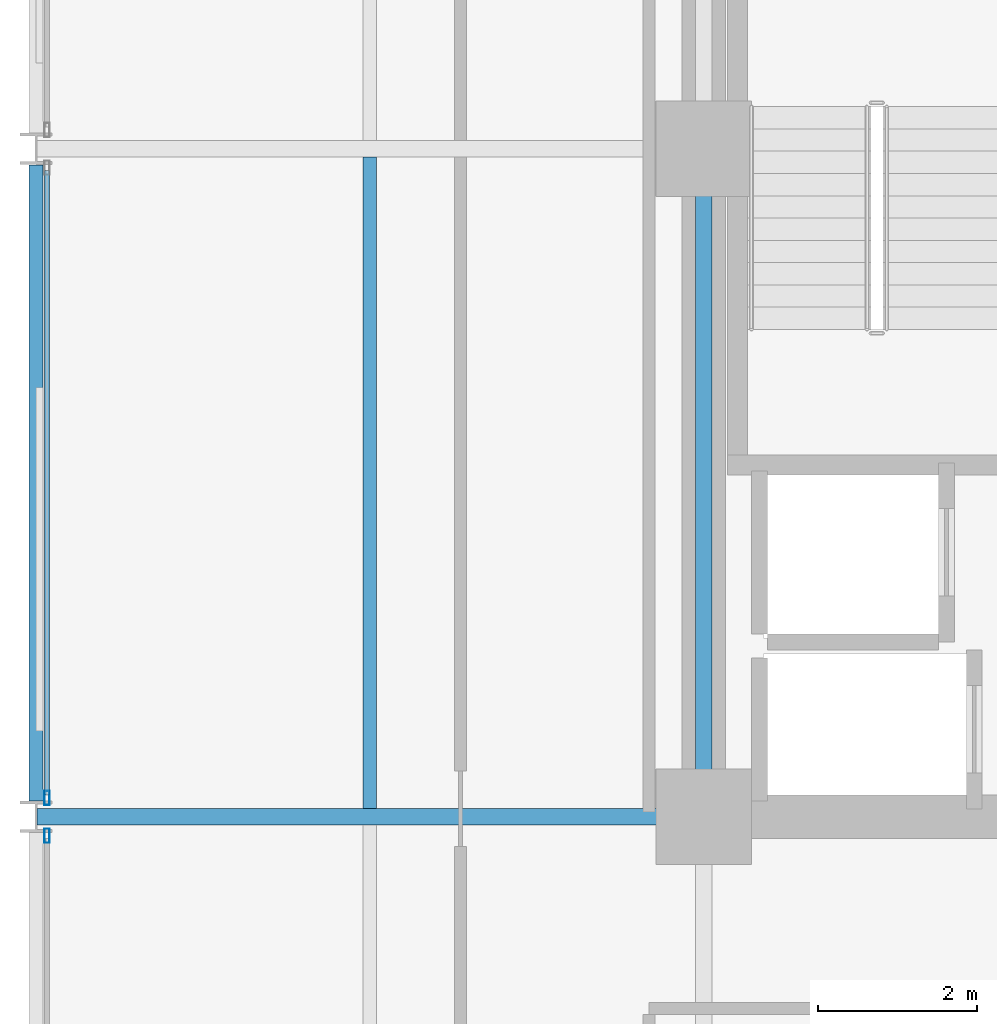
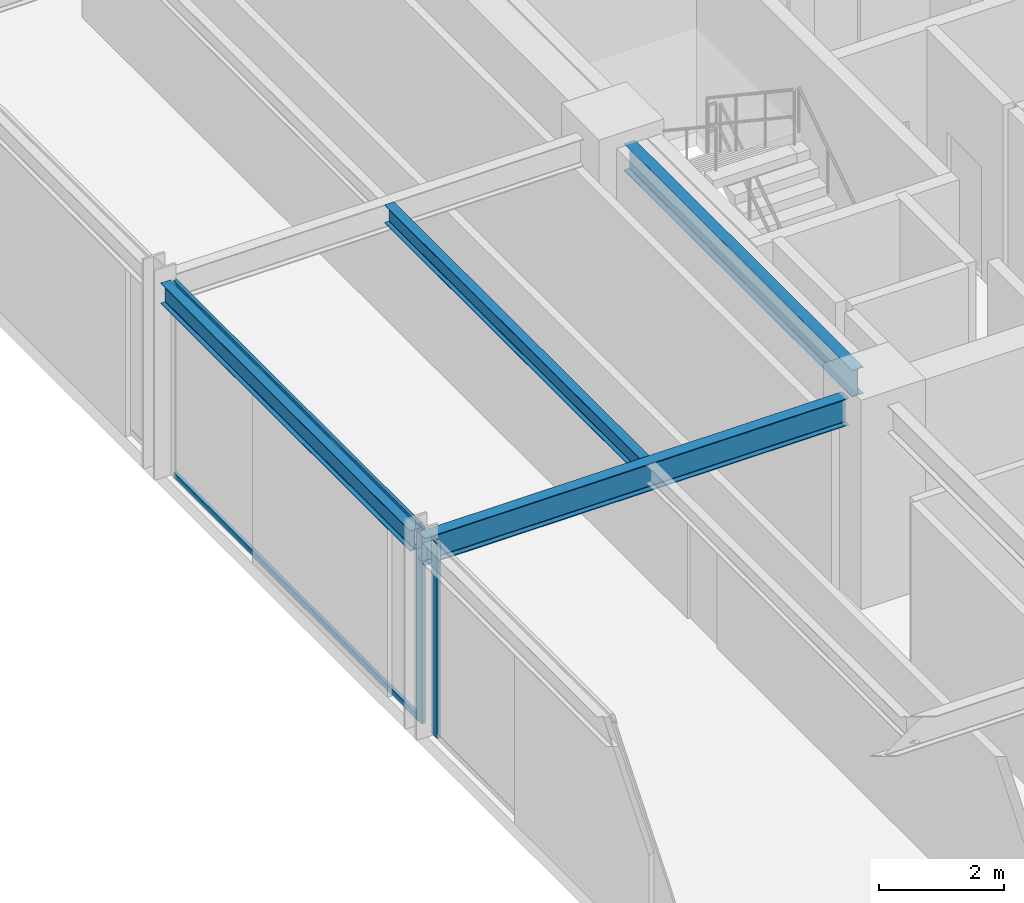
# One storey, part 13 of 38: 4 beams, 4 members, 2 elements without a shape of their own.
"""IFC4 building model written with IfcOpenShell, lengths in metres."""

from ifc_helpers import new_model, si_unit, direction, frame, origin, origin_2d, place, context, subcontext, project, spatial, hollow_rectangle, i_section, extrude, material, layer, layer_set, material_profile, profile_set, type_object, element, aggregate, save


model = new_model("IFC4")

# Units and contexts
model_context = context("Model", 3, precision=1e-05, world=origin(), true_north=direction((0.0, 1.0)))
body_context = subcontext(model_context, "Body", "Model", "MODEL_VIEW")
ifc_project = project(units=[si_unit("LENGTHUNIT", "METRE"), si_unit("AREAUNIT", "SQUARE_METRE"), si_unit("VOLUMEUNIT", "CUBIC_METRE"), si_unit("PLANEANGLEUNIT", "RADIAN"), si_unit("MASSUNIT", "GRAM", prefix="KILO")], contexts=[model_context])

# Site, building, storey
site_placement = place(None, origin())
site = spatial("IfcSite", under=ifc_project, at=site_placement, CompositionType="ELEMENT")
building_placement = place(site_placement, origin())
building = spatial("IfcBuilding", under=site, at=building_placement, Name="Nerrivon Quay Data Exchange", CompositionType="ELEMENT")
storey_placement = place(building_placement, frame((0.0, 0.0, 84.39990234375)))
storey = spatial("IfcBuildingStorey", under=building, at=storey_placement, Name="L19", CompositionType="ELEMENT", Elevation=84.39990234375)

# Beams
ifc_material_1 = material(Name="Steel Grade 350", Category="steel")
ifc_material_profile_1 = material_profile(ifc_material_1, i_section(OverallWidth=0.208984375, OverallDepth=0.532958984375, WebThickness=0.01025390625, FlangeThickness=0.015625, FilletRadius=0.013916015625, at=origin_2d()), Name="530UB92.4")
ifc_profile_set_1 = profile_set([ifc_material_profile_1], Name="Steel Grade 350")
beam_type_1 = type_object("IfcBeamType", Name="BM-G3-530UB92", PredefinedType="BEAM", material=ifc_profile_set_1)
beam_1_placement = place(storey_placement, frame((0.012451171875, 25.199951171875, 3.55859375), z_axis=(1.0, 0.0, 0.0), x_axis=(0.0, 1.0, 0.0)))
element("IfcBeam", 1, at=beam_1_placement, inside=storey, type_object=beam_type_1, Name="L19 EW Girder Y=25.2 (0.0..8.4)", PredefinedType="BEAM", context=body_context, shape_type="SweptSolid", body=[
    extrude(i_section(OverallWidth=0.208984375, OverallDepth=0.532958984375, WebThickness=0.01025390625, FlangeThickness=0.015625, FilletRadius=0.013916015625, at=origin_2d()), origin(), (0.0, 0.0, 1.0), 7.84765625),
])
ifc_material_profile_2 = material_profile(ifc_material_1, i_section(OverallWidth=0.208984375, OverallDepth=0.528076171875, WebThickness=0.009521484375, FlangeThickness=0.01318359375, FilletRadius=0.013916015625, at=origin_2d()), Name="530UB82.0")
ifc_profile_set_2 = profile_set([ifc_material_profile_2], Name="Steel Grade 350")
beam_type_2 = type_object("IfcBeamType", Name="BM-G4-530UB82", PredefinedType="BEAM", material=ifc_profile_set_2)
beam_2_placement = place(storey_placement, frame((8.39990234375, 25.739990234375, 3.56103515625), z_axis=(0.0, 1.0, 0.0), x_axis=(-1.0, 0.0, 0.0)))
element("IfcBeam", 2, at=beam_2_placement, inside=storey, type_object=beam_type_2, Name="L19 NS Girder X=8.4 (25.2..33.6)", PredefinedType="BEAM", context=body_context, shape_type="SweptSolid", body=[
    extrude(i_section(OverallWidth=0.208984375, OverallDepth=0.528076171875, WebThickness=0.009521484375, FlangeThickness=0.01318359375, FilletRadius=0.013916015625, at=origin_2d()), origin(), (0.0, 0.0, 1.0), 7.320068359375),
])
ifc_material_profile_3 = material_profile(ifc_material_1, i_section(OverallWidth=0.1708984375, OverallDepth=0.35595703125, WebThickness=0.00732421875, FlangeThickness=0.011474609375, FilletRadius=0.011474609375, at=origin_2d()), Name="360UB50.7")
ifc_profile_set_3 = profile_set([ifc_material_profile_3], Name="Steel Grade 350")
beam_type_3 = type_object("IfcBeamType", Name="BM-J4-360UB51", PredefinedType="JOIST", material=ifc_profile_set_3)
beam_3_placement = place(storey_placement, frame((4.199951171875, 25.304443359375, 3.647216796875), z_axis=(0.0, 1.0, 0.0), x_axis=(-1.0, 0.0, 0.0)))
element("IfcBeam", 3, at=beam_3_placement, inside=storey, type_object=beam_type_3, Name="L19 Secondary Joist X=4.2 (25.2..33.6)", PredefinedType="JOIST", context=body_context, shape_type="SweptSolid", body=[
    extrude(i_section(OverallWidth=0.1708984375, OverallDepth=0.35595703125, WebThickness=0.00732421875, FlangeThickness=0.011474609375, FilletRadius=0.011474609375, at=origin_2d()), origin(), (0.0, 0.0, 1.0), 8.191162109375),
])
ifc_material_profile_4 = material_profile(ifc_material_1, i_section(OverallWidth=0.177978515625, OverallDepth=0.403076171875, WebThickness=0.007568359375, FlangeThickness=0.010986328125, FilletRadius=0.011474609375, at=origin_2d()), Name="410UB53.7")
ifc_profile_set_4 = profile_set([ifc_material_profile_4], Name="Steel Grade 350")
beam_type_4 = type_object("IfcBeamType", Name="BM-SP2-410UB54", PredefinedType="SPANDREL", material=ifc_profile_set_4)
beam_4_placement = place(storey_placement, frame((0.0, 25.39990234375, 3.62353515625), z_axis=(0.0, 1.0, 0.0), x_axis=(-1.0, 0.0, 0.0)))
element("IfcBeam", 4, at=beam_4_placement, inside=storey, type_object=beam_type_4, Name="L19 NS Girder X=0.0 (25.2..33.6)", PredefinedType="SPANDREL", context=body_context, shape_type="SweptSolid", body=[
    extrude(i_section(OverallWidth=0.177978515625, OverallDepth=0.403076171875, WebThickness=0.007568359375, FlangeThickness=0.010986328125, FilletRadius=0.011474609375, at=origin_2d()), origin(), (0.0, 0.0, 1.0), 8.0),
])

# Curtain wall, member
ifc_material_2 = material(Name="Anodised aluminium 6063-T6", Category="aluminium")
ifc_layer = layer(ifc_material_2, 0.2099609375)
ifc_layer_set = layer_set([ifc_layer], Name="Anodised aluminium 6063-T6")
curtain_wall_type = type_object("IfcCurtainWallType", Name="CW-SYS-02", PredefinedType="NOTDEFINED", material=ifc_layer_set)
curtain_wall_1_placement = place(storey_placement, origin())
curtain_wall_1 = element("IfcCurtainWall", 5, at=curtain_wall_1_placement, inside=storey, type_object=curtain_wall_type, Name="L19 Unitised Curtain Wall 19", PredefinedType="NOTDEFINED")
ifc_material_profile_5 = material_profile(ifc_material_2, hollow_rectangle(XDim=0.06494140625, YDim=0.179931640625, WallThickness=0.00341796875, at=origin_2d()), Name="ALU-MULL-180x65")
ifc_profile_set_5 = profile_set([ifc_material_profile_5], Name="Anodised aluminium 6063-T6")
member_type_1 = type_object("IfcMemberType", Name="CWM-180x65", PredefinedType="MULLION", material=ifc_profile_set_5)
member_1_placement = place(storey_placement, frame((0.139892578125, 24.96240234375, 0.0), z_axis=(0.0, 0.0, 1.0), x_axis=(-1.0, 0.0, 0.0)))
member_1 = element("IfcMember", 6, at=member_1_placement, type_object=member_type_1, Name="CW02 mullion 2", PredefinedType="MULLION", context=body_context, shape_type="SweptSolid", body=[
    extrude(hollow_rectangle(XDim=0.06494140625, YDim=0.179931640625, WallThickness=0.00341796875, at=origin_2d()), origin(), (0.0, 0.0, 1.0), 3.8251953125),
])
aggregate(curtain_wall_1, [member_1])

# Curtain wall, members
curtain_wall_2_placement = place(storey_placement, origin())
curtain_wall_2 = element("IfcCurtainWall", 7, at=curtain_wall_2_placement, inside=storey, type_object=curtain_wall_type, Name="L19 Unitised Curtain Wall 20", PredefinedType="NOTDEFINED")
member_2_placement = place(storey_placement, frame((0.139892578125, 25.4375, 0.0), z_axis=(0.0, 0.0, 1.0), x_axis=(-1.0, 0.0, 0.0)))
member_2 = element("IfcMember", 8, at=member_2_placement, type_object=member_type_1, Name="CW02 mullion 1", PredefinedType="MULLION", context=body_context, shape_type="SweptSolid", body=[
    extrude(hollow_rectangle(XDim=0.06494140625, YDim=0.179931640625, WallThickness=0.00341796875, at=origin_2d()), origin(), (0.0, 0.0, 1.0), 3.8251953125),
])
ifc_material_profile_6 = material_profile(ifc_material_2, hollow_rectangle(XDim=0.06005859375, YDim=0.1201171875, WallThickness=0.003173828125, at=origin_2d()), Name="ALU-TRAN-120x60")
ifc_profile_set_6 = profile_set([ifc_material_profile_6], Name="Anodised aluminium 6063-T6")
member_type_2 = type_object("IfcMemberType", Name="CWT-120x60", PredefinedType="USERDEFINED", material=ifc_profile_set_6)
member_3_placement = place(storey_placement, frame((0.139892578125, 25.47509765625, 0.03271484375), z_axis=(0.0, 1.0, 0.0), x_axis=(-1.0, 0.0, 0.0)))
member_3 = element("IfcMember", 9, at=member_3_placement, type_object=member_type_2, Name="CW02 transom 1.1", ObjectType="TRANSOM", PredefinedType="USERDEFINED", context=body_context, shape_type="SweptSolid", body=[
    extrude(hollow_rectangle(XDim=0.06005859375, YDim=0.1201171875, WallThickness=0.003173828125, at=origin_2d()), origin(), (0.0, 0.0, 1.0), 7.849853515625),
])
member_4_placement = place(storey_placement, frame((0.139892578125, 25.47509765625, 3.79248046875), z_axis=(0.0, 1.0, 0.0), x_axis=(-1.0, 0.0, 0.0)))
member_4 = element("IfcMember", 10, at=member_4_placement, type_object=member_type_2, Name="CW02 transom 1.2", ObjectType="TRANSOM", PredefinedType="USERDEFINED", context=body_context, shape_type="SweptSolid", body=[
    extrude(hollow_rectangle(XDim=0.06005859375, YDim=0.1201171875, WallThickness=0.003173828125, at=origin_2d()), origin(), (0.0, 0.0, 1.0), 7.849853515625),
])
aggregate(curtain_wall_2, [member_2, member_3, member_4])

save(model, "model.ifc")
